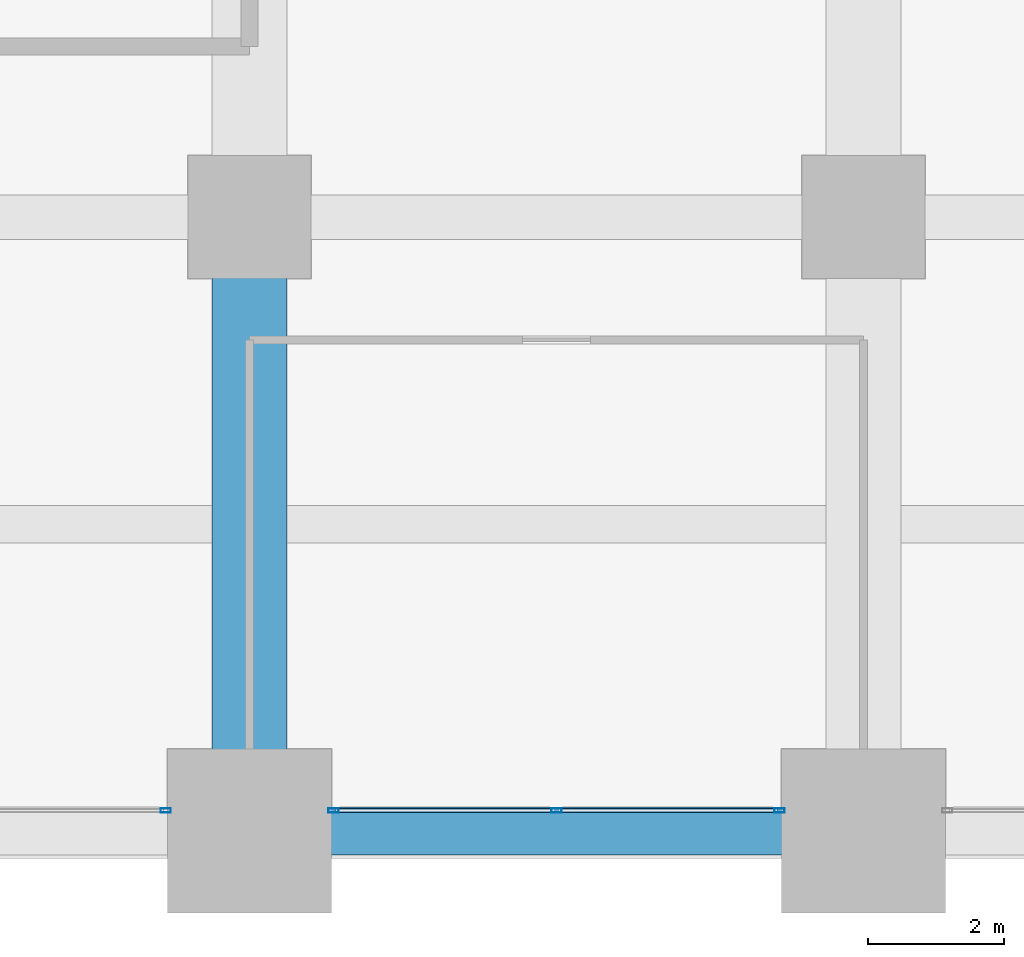
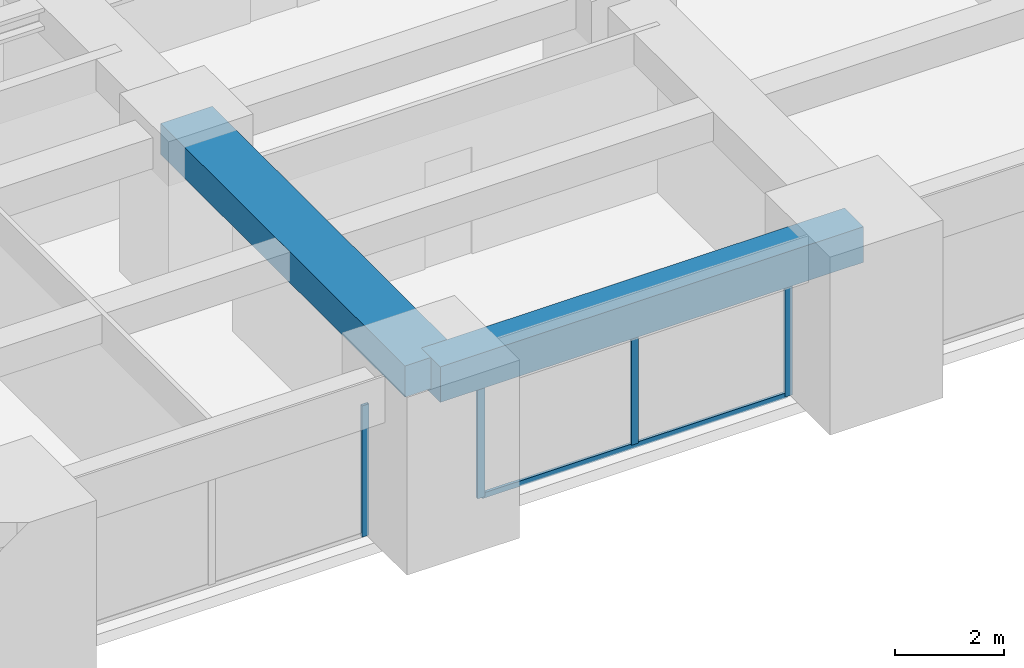
# One storey, part 13 of 39: 5 members, 2 beams, 2 elements without a shape of their own.
"""IFC4 building model written with IfcOpenShell, lengths in metres."""

import ifcopenshell
import ifcopenshell.guid

model = None  # the IFC model being written
_history = None  # IfcOwnerHistory: only IFC2X3 demands one
_inside = {}  # id of a spatial element -> (the spatial element, [elements in it])
_under = {}  # id of a project, library or spatial element -> (it, [spatial elements below it])
_declared = {}  # id of a project -> (the project, [libraries it declares])
_typed = {}  # id of a type object -> (the type object, [elements of that type])
_made_of = {}  # id of a material, layer set ... -> (it, [elements and type objects made of it])


def new_model(schema):
    """Start an empty IFC model of exactly this schema.

    Asked for "IFC4X3", IfcOpenShell would pick the latest addendum, in which some entities
    have other attributes; the version numbers below select the first issue.
    IFC2X3 requires an IfcOwnerHistory on every rooted entity: one is made here for all.
    """
    global model, _history
    if schema == "IFC4X3":
        model = ifcopenshell.file(schema_version=(4, 3, 0, 0))
    else:
        model = ifcopenshell.file(schema=schema)
    _inside.clear()
    _under.clear()
    _declared.clear()
    _typed.clear()
    _made_of.clear()
    _history = None
    if model.schema == "IFC2X3":
        org = make("IfcOrganization", Name="unknown")
        user = make(
            "IfcPersonAndOrganization",
            ThePerson=make("IfcPerson", FamilyName="unknown"),
            TheOrganization=org,
        )
        app = make(
            "IfcApplication",
            ApplicationDeveloper=org,
            Version="unknown",
            ApplicationFullName="unknown",
            ApplicationIdentifier="unknown",
        )
        _history = make(
            "IfcOwnerHistory",
            OwningUser=user,
            OwningApplication=app,
            ChangeAction="ADDED",
            CreationDate=0,
        )
    return model


def make(cls, **values):
    """One entity of the class cls with the attributes given. An attribute that is None is left unset."""
    return model.create_entity(
        cls, **{name: value for name, value in values.items() if value is not None}
    )


def rooted(cls, **values):
    """An entity with a GlobalId (a new one), such as an element, a storey or a relation."""
    return make(cls, GlobalId=ifcopenshell.guid.new(), OwnerHistory=_history, **values)


def si_unit(unit_type, name, prefix=None):
    """IfcSIUnit, for example si_unit("LENGTHUNIT", "METRE", prefix="MILLI")."""
    return make("IfcSIUnit", UnitType=unit_type, Prefix=prefix, Name=name)


def assignment(units):
    """IfcUnitAssignment: the units of a project."""
    return None if units is None else make("IfcUnitAssignment", Units=units)


def point(xyz):
    """IfcCartesianPoint."""
    return None if xyz is None else make("IfcCartesianPoint", Coordinates=xyz)


def direction(xyz):
    """IfcDirection."""
    return None if xyz is None else make("IfcDirection", DirectionRatios=xyz)


def frame(location, z_axis=None, x_axis=None):
    """IfcAxis2Placement3D, a coordinate frame: its origin and axes. An axis left out is left unset."""
    return make(
        "IfcAxis2Placement3D",
        Location=point(location),
        Axis=direction(z_axis),
        RefDirection=direction(x_axis),
    )


def frame_2d(location, x_axis=None):
    """IfcAxis2Placement2D, a coordinate frame in the plane: its origin and x axis."""
    return make(
        "IfcAxis2Placement2D", Location=point(location), RefDirection=direction(x_axis)
    )


def origin():
    """The frame at (0, 0, 0) with its axes left unset."""
    return frame((0.0, 0.0, 0.0))


def origin_2d():
    """The frame at (0, 0) in the plane with its x axis left unset."""
    return frame_2d((0.0, 0.0))


def place(relative_to, where):
    """IfcLocalPlacement: puts the frame where relative to a parent placement (None: the world)."""
    return make(
        "IfcLocalPlacement", PlacementRelTo=relative_to, RelativePlacement=where
    )


def context(
    kind, dimensions, precision=None, world=None, true_north=None, identifier=None
):
    """IfcGeometricRepresentationContext, for example the 3D "Model" context."""
    return make(
        "IfcGeometricRepresentationContext",
        ContextIdentifier=identifier,
        ContextType=kind,
        CoordinateSpaceDimension=dimensions,
        Precision=precision,
        WorldCoordinateSystem=world,
        TrueNorth=true_north,
    )


def subcontext(parent, identifier, kind, view, scale=None):
    """IfcGeometricRepresentationSubContext, for example "Body" below "Model"."""
    return make(
        "IfcGeometricRepresentationSubContext",
        ContextIdentifier=identifier,
        ContextType=kind,
        ParentContext=parent,
        TargetScale=scale,
        TargetView=view,
    )


def project(units=None, contexts=None):
    """IfcProject with its units and contexts."""
    return rooted(
        "IfcProject",
        Name="project",
        RepresentationContexts=contexts,
        UnitsInContext=assignment(units),
    )


def spatial(cls, under=None, at=None, **own):
    """A site, building, storey or space (cls), placed at a placement, below another one or the project."""
    s = rooted(cls, ObjectPlacement=at, **own)
    if under is not None:
        _under.setdefault(under.id(), (under, []))[1].append(s)
    return s


def profile(cls, at=None, kind="AREA", **sizes):
    """A parametric profile (cls). Its sizes go by their IFC names, for example OverallWidth=200.0."""
    return make(cls, ProfileType=kind, Position=at, **sizes)


def rectangle(**sizes):
    """IfcRectangleProfileDef."""
    return profile("IfcRectangleProfileDef", **sizes)


def hollow_rectangle(**sizes):
    """IfcRectangleHollowProfileDef."""
    return profile("IfcRectangleHollowProfileDef", **sizes)


def extrude(swept, where, along, depth):
    """IfcExtrudedAreaSolid: the profile swept, set in the frame where, extruded along a direction by depth."""
    return make(
        "IfcExtrudedAreaSolid",
        SweptArea=swept,
        Position=where,
        ExtrudedDirection=direction(along),
        Depth=depth,
    )


def shape(context_of_items, identifier, shape_type, items):
    """IfcShapeRepresentation: the items that make up one representation, for example the "Body"."""
    return make(
        "IfcShapeRepresentation",
        ContextOfItems=context_of_items,
        RepresentationIdentifier=identifier,
        RepresentationType=shape_type,
        Items=items,
    )


def material(Name=None, Category=None):
    """IfcMaterial."""
    return make("IfcMaterial", Name=Name, Category=Category)


def material_profile(
    of_material, cross_section, Name=None, Category=None, Priority=None
):
    """IfcMaterialProfile: a cross section and its material."""
    return make(
        "IfcMaterialProfile",
        Name=Name,
        Material=of_material,
        Profile=cross_section,
        Priority=Priority,
        Category=Category,
    )


def profile_set(profiles, Name=None, composite=None):
    """IfcMaterialProfileSet."""
    return make(
        "IfcMaterialProfileSet",
        Name=Name,
        MaterialProfiles=profiles,
        CompositeProfile=composite,
    )


def made_of(thing, what):
    """Note that an element or type object is made of a material, layer set ...; save() writes the relation."""
    if what is not None:
        _made_of.setdefault(what.id(), (what, []))[1].append(thing)
    return thing


def type_object(cls, material=None, **own):
    """A type object (cls), such as IfcWallType, which elements share."""
    return made_of(rooted(cls, **own), material)


def element(
    cls,
    number,
    at=None,
    inside=None,
    cuts=None,
    type_object=None,
    material=None,
    context=None,
    identifier="Body",
    shape_type=None,
    held_by="IfcProductDefinitionShape",
    body=None,
    shapes=None,
    **own,
):
    """One element of the class cls, such as IfcWall. Its Tag is "e" and its number.

    at: its placement. inside: the storey or other place that contains it. cuts: it is an
    opening in that element (IfcRelVoidsElement). A single representation is given by context,
    identifier, shape_type and body (its items); several are given by shapes. held_by: the class
    of the entity that holds the representations. save() writes the other relations.
    """
    e = rooted(cls, Tag="e%d" % number, ObjectPlacement=at, **own)
    if body is not None:
        shapes = [shape(context, identifier, shape_type, body)]
    if shapes is not None:
        e.Representation = make(held_by, Representations=shapes)
    if inside is not None:
        _inside.setdefault(inside.id(), (inside, []))[1].append(e)
    if cuts is not None:
        rooted(
            "IfcRelVoidsElement", RelatingBuildingElement=cuts, RelatedOpeningElement=e
        )
    if type_object is not None:
        _typed.setdefault(type_object.id(), (type_object, []))[1].append(e)
    return made_of(e, material)


def aggregate(whole, parts):
    """IfcRelAggregates: a whole, such as a stair, and the parts it consists of."""
    return rooted("IfcRelAggregates", RelatingObject=whole, RelatedObjects=parts)


def save(model, path):
    """Write the relations noted so far, then the file.

    IfcRelAggregates (storeys below a building ...), IfcRelContainedInSpatialStructure (elements
    in a storey), IfcRelDefinesByType, IfcRelAssociatesMaterial and IfcRelDeclares: one each for
    every whole, place, type object, material and project.
    """
    for whole, parts in _under.values():
        aggregate(whole, parts)
    for where, things in _inside.values():
        rooted(
            "IfcRelContainedInSpatialStructure",
            RelatedElements=things,
            RelatingStructure=where,
        )
    for kind, things in _typed.values():
        rooted("IfcRelDefinesByType", RelatedObjects=things, RelatingType=kind)
    for what, things in _made_of.values():
        rooted("IfcRelAssociatesMaterial", RelatedObjects=things, RelatingMaterial=what)
    for by, libraries in _declared.values():
        rooted("IfcRelDeclares", RelatingContext=by, RelatedDefinitions=libraries)
    model.write(path)


model = new_model("IFC4")

# Units and contexts
model_context = context("Model", 3, precision=1e-05, world=origin(), true_north=direction((0.0, 1.0)))
body_context = subcontext(model_context, "Body", "Model", "MODEL_VIEW")
ifc_project = project(units=[si_unit("LENGTHUNIT", "METRE"), si_unit("AREAUNIT", "SQUARE_METRE"), si_unit("VOLUMEUNIT", "CUBIC_METRE"), si_unit("PLANEANGLEUNIT", "RADIAN"), si_unit("MASSUNIT", "GRAM", prefix="KILO")], contexts=[model_context])

# Site, building, storey
site_placement = place(None, origin())
site = spatial("IfcSite", under=ifc_project, at=site_placement, CompositionType="ELEMENT")
building_placement = place(site_placement, origin())
building = spatial("IfcBuilding", under=site, at=building_placement, Name="Zorevar Civic Tower", CompositionType="ELEMENT")
storey_placement = place(building_placement, frame((0.0, 0.0, 125.0)))
storey = spatial("IfcBuildingStorey", under=building, at=storey_placement, Name="L30", CompositionType="ELEMENT", Elevation=125.0)

# Beam
ifc_material_1 = material(Name="Concrete C50/60", Category="concrete")
ifc_material_profile_1 = material_profile(ifc_material_1, rectangle(XDim=1.10009765625, YDim=0.699951171875, at=origin_2d()), Name="RC 1100x700")
ifc_profile_set_1 = profile_set([ifc_material_profile_1], Name="Concrete C50/60")
beam_type_1 = type_object("IfcBeamType", Name="Beam RC 1100x700", PredefinedType="BEAM", material=ifc_profile_set_1)
beam_1_placement = place(storey_placement, frame((36.0, 0.0, 3.39990234375), z_axis=(0.0, 1.0, 0.0), x_axis=(-1.0, 0.0, 0.0)))
element("IfcBeam", 1, at=beam_1_placement, inside=storey, type_object=beam_type_1, Name="Girder L31", PredefinedType="BEAM", context=body_context, shape_type="SweptSolid", body=[
    extrude(rectangle(XDim=1.10009765625, YDim=0.699951171875, at=origin_2d()), origin(), (0.0, 0.0, 1.0), 9.0),
])

# Curtain wall, member
ifc_material_2 = material(Name="Dark grey solar-control glass in black aluminium frame", Category="aluminium")
curtain_wall_type = type_object("IfcCurtainWallType", Name="Curtain wall CW3 mid zone", PredefinedType="NOTDEFINED", material=ifc_material_2)
curtain_wall_1_placement = place(storey_placement, origin())
curtain_wall_1 = element("IfcCurtainWall", 2, at=curtain_wall_1_placement, inside=storey, type_object=curtain_wall_type, Name="CW3 L30", PredefinedType="NOTDEFINED")
ifc_material_3 = material(Name="Aluminium, black anodised", Category="aluminium")
ifc_material_profile_2 = material_profile(ifc_material_3, hollow_rectangle(XDim=0.06005859375, YDim=0.14990234375, WallThickness=0.00390625, at=origin_2d()), Name="AL 150x60x4")
ifc_profile_set_2 = profile_set([ifc_material_profile_2], Name="Aluminium, black anodised")
member_type_1 = type_object("IfcMemberType", Name="CW3 mullion AL 150x60x4", PredefinedType="MULLION", material=ifc_profile_set_2)
member_1_placement = place(storey_placement, frame((34.77001953125, 0.300048828125, 0.0), z_axis=(0.0, 0.0, 1.0), x_axis=(0.0, 1.0, 0.0)))
member_1 = element("IfcMember", 3, at=member_1_placement, type_object=member_type_1, Name="CW3 mullion 3", PredefinedType="MULLION", context=body_context, shape_type="SweptSolid", body=[
    extrude(hollow_rectangle(XDim=0.06005859375, YDim=0.14990234375, WallThickness=0.00390625, at=origin_2d()), origin(), (0.0, 0.0, 1.0), 2.949951171875),
])
aggregate(curtain_wall_1, [member_1])

# Curtain wall, members
curtain_wall_2_placement = place(storey_placement, origin())
curtain_wall_2 = element("IfcCurtainWall", 4, at=curtain_wall_2_placement, inside=storey, type_object=curtain_wall_type, Name="CW3 L30", PredefinedType="NOTDEFINED")
member_2_placement = place(storey_placement, frame((37.22998046875, 0.300048828125, 0.0), z_axis=(0.0, 0.0, 1.0), x_axis=(0.0, 1.0, 0.0)))
member_2 = element("IfcMember", 5, at=member_2_placement, type_object=member_type_1, Name="CW3 mullion 1", PredefinedType="MULLION", context=body_context, shape_type="SweptSolid", body=[
    extrude(hollow_rectangle(XDim=0.06005859375, YDim=0.14990234375, WallThickness=0.00390625, at=origin_2d()), origin(), (0.0, 0.0, 1.0), 2.949951171875),
])
member_3_placement = place(storey_placement, frame((40.5, 0.300048828125, 0.06005859375), z_axis=(0.0, 0.0, 1.0), x_axis=(0.0, 1.0, 0.0)))
member_3 = element("IfcMember", 6, at=member_3_placement, type_object=member_type_1, Name="CW3 mullion 2", PredefinedType="MULLION", context=body_context, shape_type="SweptSolid", body=[
    extrude(hollow_rectangle(XDim=0.06005859375, YDim=0.14990234375, WallThickness=0.00390625, at=origin_2d()), origin(), (0.0, 0.0, 1.0), 2.889892578125),
])
member_4_placement = place(storey_placement, frame((43.77001953125, 0.300048828125, 0.0), z_axis=(0.0, 0.0, 1.0), x_axis=(0.0, 1.0, 0.0)))
member_4 = element("IfcMember", 7, at=member_4_placement, type_object=member_type_1, Name="CW3 mullion 3", PredefinedType="MULLION", context=body_context, shape_type="SweptSolid", body=[
    extrude(hollow_rectangle(XDim=0.06005859375, YDim=0.14990234375, WallThickness=0.00390625, at=origin_2d()), origin(), (0.0, 0.0, 1.0), 2.949951171875),
])
ifc_material_4 = material(Name="Aluminium, black anodised", Category="aluminium")
ifc_material_profile_3 = material_profile(ifc_material_4, hollow_rectangle(XDim=0.06005859375, YDim=0.1201171875, WallThickness=0.0029296875, at=origin_2d()), Name="AL 120x60x3")
ifc_profile_set_3 = profile_set([ifc_material_profile_3], Name="Aluminium, black anodised")
member_type_2 = type_object("IfcMemberType", Name="CW3 transom AL 120x60x3", PredefinedType="USERDEFINED", material=ifc_profile_set_3)
member_5_placement = place(storey_placement, frame((37.260009765625, 0.300048828125, 0.030029296875), z_axis=(1.0, 0.0, 0.0), x_axis=(0.0, 1.0, 0.0)))
member_5 = element("IfcMember", 8, at=member_5_placement, type_object=member_type_2, Name="CW3 sill transom", ObjectType="TRANSOM", PredefinedType="USERDEFINED", context=body_context, shape_type="SweptSolid", body=[
    extrude(hollow_rectangle(XDim=0.06005859375, YDim=0.1201171875, WallThickness=0.0029296875, at=origin_2d()), origin(), (0.0, 0.0, 1.0), 6.47998046875),
])
aggregate(curtain_wall_2, [member_2, member_3, member_4, member_5])

# Beam
ifc_material_5 = material(Name="Concrete C50/60", Category="concrete")
ifc_material_profile_4 = material_profile(ifc_material_5, rectangle(XDim=0.699951171875, YDim=0.800048828125, at=origin_2d()), Name="RC 700x800")
ifc_profile_set_4 = profile_set([ifc_material_profile_4], Name="Concrete C50/60")
beam_type_2 = type_object("IfcBeamType", Name="Edge beam RC 700x800", PredefinedType="SPANDREL", material=ifc_profile_set_4)
beam_2_placement = place(storey_placement, frame((36.0, 0.0, 3.35009765625), z_axis=(1.0, 0.0, 0.0), x_axis=(0.0, 1.0, 0.0)))
element("IfcBeam", 9, at=beam_2_placement, inside=storey, type_object=beam_type_2, Name="Edge beam L31", PredefinedType="SPANDREL", context=body_context, shape_type="SweptSolid", body=[
    extrude(rectangle(XDim=0.699951171875, YDim=0.800048828125, at=origin_2d()), origin(), (0.0, 0.0, 1.0), 9.0),
])

save(model, "model.ifc")
